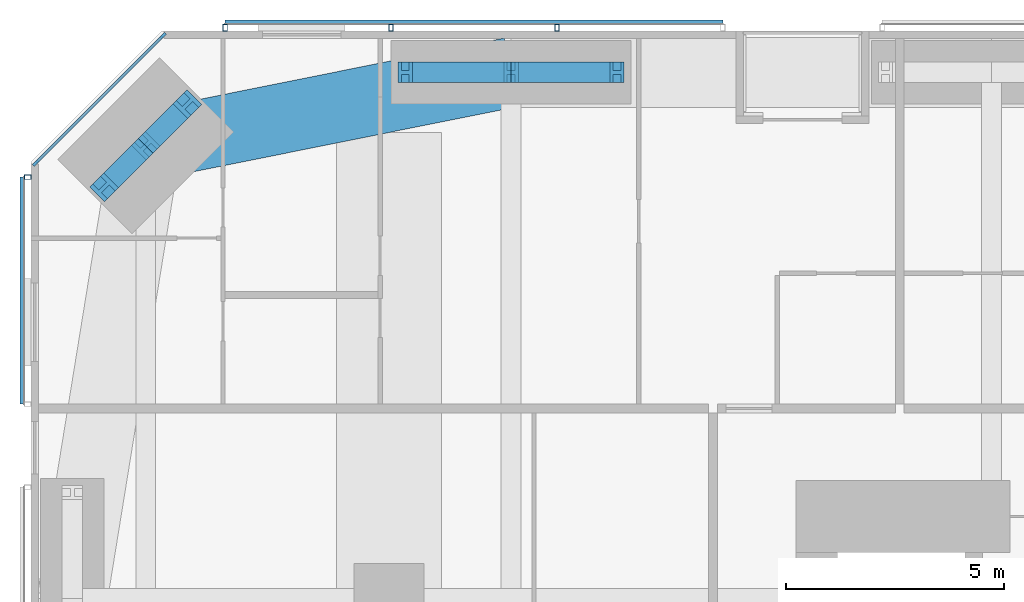
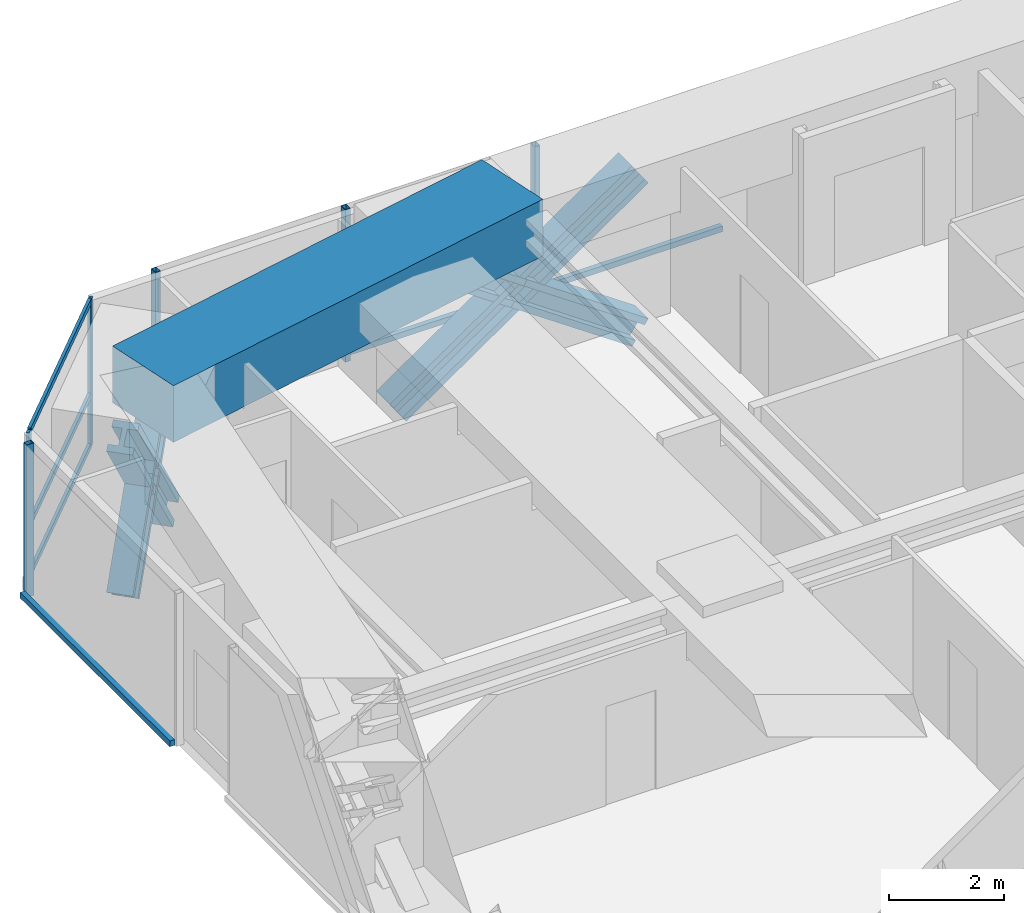
# One storey, part 12 of 24: 19 members, 1 beam, 3 elements without a shape of their own.
"""IFC4 building model written with IfcOpenShell, lengths in metres."""

from ifc_helpers import new_model, si_unit, direction, frame, origin, origin_2d, place, context, subcontext, project, spatial, rectangle, hollow_rectangle, i_section, extrude, material, material_profile, profile_set, type_object, element, aggregate, save


model = new_model("IFC4")

# Units and contexts
model_context = context("Model", 3, precision=1e-05, world=origin(), true_north=direction((0.0, 1.0)))
body_context = subcontext(model_context, "Body", "Model", "MODEL_VIEW")
ifc_project = project(units=[si_unit("LENGTHUNIT", "METRE"), si_unit("AREAUNIT", "SQUARE_METRE"), si_unit("VOLUMEUNIT", "CUBIC_METRE"), si_unit("PLANEANGLEUNIT", "RADIAN"), si_unit("MASSUNIT", "GRAM", prefix="KILO")], contexts=[model_context])

# Site, building, storey
site_placement = place(None, origin())
site = spatial("IfcSite", under=ifc_project, at=site_placement, CompositionType="ELEMENT")
building_placement = place(site_placement, origin())
building = spatial("IfcBuilding", under=site, at=building_placement, Name="Jalousie Tower", CompositionType="ELEMENT")
storey_placement = place(building_placement, frame((0.0, 0.0, 47.800048828125)))
storey = spatial("IfcBuildingStorey", under=building, at=storey_placement, Name="L12", CompositionType="ELEMENT", Elevation=47.800048828125)

# Curtain wall, members
ifc_material_1 = material(Name="Aluminium curtain wall", Category="aluminium")
curtain_wall_type_1 = type_object("IfcCurtainWallType", Name="CORNER WINDOW WALL", PredefinedType="USERDEFINED", material=ifc_material_1)
curtain_wall_1_placement = place(storey_placement, origin())
curtain_wall_1 = element("IfcCurtainWall", 1, at=curtain_wall_1_placement, inside=storey, type_object=curtain_wall_type_1, Name="Corner Window Wall L12 6", ObjectType="CORNER WINDOW WALL", PredefinedType="USERDEFINED")
ifc_material_2 = material(Name="Aluminium mullion", Category="aluminium")
ifc_material_profile_1 = material_profile(ifc_material_2, rectangle(XDim=0.06005859375, YDim=0.14990234375, at=origin_2d()), Name="MULLION 60x150")
ifc_profile_set_1 = profile_set([ifc_material_profile_1], Name="Aluminium mullion")
member_type_1 = type_object("IfcMemberType", Name="CORNER WINDOW WALL MULLION", PredefinedType="MULLION", material=ifc_profile_set_1)
member_1_placement = place(storey_placement, frame((5.030029296875, 37.891357421875, 0.0), z_axis=(0.0, 0.0, 1.0), x_axis=(0.707106781187, -0.707106781187, 0.0)))
member_1 = element("IfcMember", 2, at=member_1_placement, type_object=member_type_1, Name="CW-C mullion 1", PredefinedType="MULLION", context=body_context, shape_type="SweptSolid", body=[
    extrude(rectangle(XDim=0.06005859375, YDim=0.14990234375, at=origin_2d()), origin(), (0.0, 0.0, 1.0), 3.10986328125),
])
member_2_placement = place(storey_placement, frame((2.108642578125, 34.969970703125, 0.0), z_axis=(0.0, 0.0, 1.0), x_axis=(0.707106781187, -0.707106781187, 0.0)))
member_2 = element("IfcMember", 3, at=member_2_placement, type_object=member_type_1, Name="CW-C mullion 2", PredefinedType="MULLION", context=body_context, shape_type="SweptSolid", body=[
    extrude(rectangle(XDim=0.06005859375, YDim=0.14990234375, at=origin_2d()), origin(), (0.0, 0.0, 1.0), 3.10986328125),
])
ifc_material_3 = material(Name="Aluminium transom", Category="aluminium")
ifc_material_profile_2 = material_profile(ifc_material_3, rectangle(XDim=0.06005859375, YDim=0.1201171875, at=origin_2d()), Name="TRANSOM 60x120")
ifc_profile_set_2 = profile_set([ifc_material_profile_2], Name="Aluminium transom")
member_type_2 = type_object("IfcMemberType", Name="CORNER WINDOW WALL TRANSOM", PredefinedType="USERDEFINED", material=ifc_profile_set_2)
member_3_placement = place(storey_placement, frame((5.0087890625, 37.8701171875, 0.030029296875), z_axis=(-0.707106781187, -0.707106781187, 0.0), x_axis=(0.707106781187, -0.707106781187, 0.0)))
member_3 = element("IfcMember", 4, at=member_3_placement, type_object=member_type_2, Name="CW-C transom 1.1", ObjectType="TRANSOM", PredefinedType="USERDEFINED", context=body_context, shape_type="SweptSolid", body=[
    extrude(rectangle(XDim=0.06005859375, YDim=0.1201171875, at=origin_2d()), origin(), (0.0, 0.0, 1.0), 4.0712890625),
])
member_4_placement = place(storey_placement, frame((5.0087890625, 37.8701171875, 1.099853515625), z_axis=(-0.707106781187, -0.707106781187, 0.0), x_axis=(0.707106781187, -0.707106781187, 0.0)))
member_4 = element("IfcMember", 5, at=member_4_placement, type_object=member_type_2, Name="CW-C transom 1.2", ObjectType="TRANSOM", PredefinedType="USERDEFINED", context=body_context, shape_type="SweptSolid", body=[
    extrude(rectangle(XDim=0.06005859375, YDim=0.1201171875, at=origin_2d()), origin(), (0.0, 0.0, 1.0), 4.0712890625),
])
member_5_placement = place(storey_placement, frame((5.0087890625, 37.8701171875, 3.079833984375), z_axis=(-0.707106781187, -0.707106781187, 0.0), x_axis=(0.707106781187, -0.707106781187, 0.0)))
member_5 = element("IfcMember", 6, at=member_5_placement, type_object=member_type_2, Name="CW-C transom 1.3", ObjectType="TRANSOM", PredefinedType="USERDEFINED", context=body_context, shape_type="SweptSolid", body=[
    extrude(rectangle(XDim=0.06005859375, YDim=0.1201171875, at=origin_2d()), origin(), (0.0, 0.0, 1.0), 4.0712890625),
])
aggregate(curtain_wall_1, [member_1, member_2, member_3, member_4, member_5])

# Members
ifc_material_4 = material(Name="Steel ASTM A992 Grade 50", Category="steel")
ifc_material_profile_3 = material_profile(ifc_material_4, i_section(OverallWidth=0.472412109375, OverallDepth=0.5791015625, WebThickness=0.094970703125, FlangeThickness=0.1298828125, at=origin_2d()), Name="W14X808")
ifc_profile_set_3 = profile_set([ifc_material_profile_3], Name="Steel ASTM A992 Grade 50")
member_type_3 = type_object("IfcMemberType", Name="PERIMETER BRACE W14X808", PredefinedType="BRACE", material=ifc_profile_set_3)
for number, where, z_axis, x_axis, name in (
    (7, (10.574951171875, 37.050048828125, -0.60009765625), (0.822800062329, 0.0, 0.568330940062), (0.0, 1.0, 0.0), "Perimeter brace 11 L12 part 1"),
    (8, (13.0, 37.050048828125, 1.074951171875), (0.822800062329, 0.0, 0.568330940062), (0.0, 1.0, 0.0), "Perimeter brace 11 L12 part 2"),
    (9, (15.425048828125, 37.050048828125, -0.60009765625), (-0.822800062329, 0.0, 0.568330940062), (0.0, -1.0, 0.0), "Perimeter brace 11 L12 part 3"),
    (10, (13.0, 37.050048828125, 1.074951171875), (-0.822800062329, 0.0, 0.568330940062), (0.0, -1.0, 0.0), "Perimeter brace 11 L12 part 4"),
):
    element("IfcMember", number, at=place(storey_placement, frame(where, z_axis=z_axis, x_axis=x_axis)), inside=storey, type_object=member_type_3, Name=name, PredefinedType="BRACE", context=body_context, shape_type="SweptSolid", body=[
        extrude(i_section(OverallWidth=0.472412109375, OverallDepth=0.5791015625, WebThickness=0.094970703125, FlangeThickness=0.1298828125, at=origin_2d()), origin(), (0.0, 0.0, 1.0), 2.947265625),
    ])
for number, where, z_axis, x_axis, name in (
    (11, (5.5859375, 36.3232421875, -0.60009765625), (-0.443718327034, -0.443718327034, 0.778606506849), (0.707106781187, -0.707106781187, 0.0), "Perimeter brace 12 L12 part 1"),
    (12, (4.63134765625, 35.36865234375, 1.074951171875), (-0.443718327034, -0.443718327034, 0.778606506849), (0.707106781187, -0.707106781187, 0.0), "Perimeter brace 12 L12 part 2"),
    (13, (3.6767578125, 34.4140625, -0.60009765625), (0.443718327034, 0.443718327034, 0.778606506849), (-0.707106781187, 0.707106781187, 0.0), "Perimeter brace 12 L12 part 3"),
    (14, (4.63134765625, 35.36865234375, 1.074951171875), (0.443718327034, 0.443718327034, 0.778606506849), (-0.707106781187, 0.707106781187, 0.0), "Perimeter brace 12 L12 part 4"),
):
    element("IfcMember", number, at=place(storey_placement, frame(where, z_axis=z_axis, x_axis=x_axis)), inside=storey, type_object=member_type_3, Name=name, PredefinedType="BRACE", context=body_context, shape_type="SweptSolid", body=[
        extrude(i_section(OverallWidth=0.472412109375, OverallDepth=0.5791015625, WebThickness=0.094970703125, FlangeThickness=0.1298828125, at=origin_2d()), origin(), (0.0, 0.0, 1.0), 2.1513671875),
    ])

# Beam
ifc_material_5 = material(Name="Concrete f'c 40 MPa", Category="concrete")
ifc_material_profile_4 = material_profile(ifc_material_5, rectangle(XDim=1.60009765625, YDim=1.199951171875, at=origin_2d()), Name="RC 1600x1200")
ifc_profile_set_4 = profile_set([ifc_material_profile_4], Name="Concrete f'c 40 MPa")
beam_type = type_object("IfcBeamType", Name="RC BEAM 1600x1200", PredefinedType="BEAM", material=ifc_profile_set_4)
beam_placement = place(storey_placement, frame((13.0, 37.050048828125, 2.75), z_axis=(-0.980407585444, -0.196979609107, 0.0), x_axis=(0.196979609107, -0.980407585444, 0.0)))
element("IfcBeam", 15, at=beam_placement, inside=storey, type_object=beam_type, Name="Edge band beam 11-12 under L13", PredefinedType="BEAM", context=body_context, shape_type="SweptSolid", body=[
    extrude(rectangle(XDim=1.60009765625, YDim=1.199951171875, at=origin_2d()), origin(), (0.0, 0.0, 1.0), 8.535888671875),
])

# Curtain wall, members
ifc_material_6 = material(Name="Perforated aluminium sheet", Category="aluminium")
curtain_wall_type_2 = type_object("IfcCurtainWallType", Name="SOLAR SCREEN SS-1", PredefinedType="USERDEFINED", material=ifc_material_6)
curtain_wall_2_placement = place(storey_placement, origin())
curtain_wall_2 = element("IfcCurtainWall", 16, at=curtain_wall_2_placement, inside=storey, type_object=curtain_wall_type_2, Name="Solar screen L12", ObjectType="SOLAR SCREEN SS-1", PredefinedType="USERDEFINED")
ifc_material_7 = material(Name="Steel ASTM A500 Grade C", Category="steel")
ifc_material_profile_5 = material_profile(ifc_material_7, hollow_rectangle(XDim=0.1015625, YDim=0.15234375, WallThickness=0.00634765625, at=origin_2d()), Name="HSS6X4X1/4")
ifc_profile_set_5 = profile_set([ifc_material_profile_5], Name="Steel ASTM A500 Grade C")
member_type_4 = type_object("IfcMemberType", Name="SOLAR SCREEN SS-1 MULLION", PredefinedType="MULLION", material=ifc_profile_set_5)
member_6_placement = place(storey_placement, frame((14.050048828125, 38.0712890625, -0.1201171875), z_axis=(0.0, 0.0, 1.0), x_axis=(-1.0, 0.0, 0.0)))
member_6 = element("IfcMember", 17, at=member_6_placement, type_object=member_type_4, Name="SS1 post 2", PredefinedType="MULLION", context=body_context, shape_type="SweptSolid", body=[
    extrude(hollow_rectangle(XDim=0.1015625, YDim=0.15234375, WallThickness=0.00634765625, at=origin_2d()), origin(), (0.0, 0.0, 1.0), 3.22998046875),
])
member_7_placement = place(storey_placement, frame((10.25, 38.0712890625, -0.1201171875), z_axis=(0.0, 0.0, 1.0), x_axis=(-1.0, 0.0, 0.0)))
member_7 = element("IfcMember", 18, at=member_7_placement, type_object=member_type_4, Name="SS1 post 3", PredefinedType="MULLION", context=body_context, shape_type="SweptSolid", body=[
    extrude(hollow_rectangle(XDim=0.1015625, YDim=0.15234375, WallThickness=0.00634765625, at=origin_2d()), origin(), (0.0, 0.0, 1.0), 3.22998046875),
])
member_8_placement = place(storey_placement, frame((6.449951171875, 38.0712890625, -0.1201171875), z_axis=(0.0, 0.0, 1.0), x_axis=(-1.0, 0.0, 0.0)))
member_8 = element("IfcMember", 19, at=member_8_placement, type_object=member_type_4, Name="SS1 post 4", PredefinedType="MULLION", context=body_context, shape_type="SweptSolid", body=[
    extrude(hollow_rectangle(XDim=0.1015625, YDim=0.15234375, WallThickness=0.00634765625, at=origin_2d()), origin(), (0.0, 0.0, 1.0), 3.22998046875),
])

# Curtain wall, member
curtain_wall_3_placement = place(storey_placement, origin())
curtain_wall_3 = element("IfcCurtainWall", 20, at=curtain_wall_3_placement, inside=storey, type_object=curtain_wall_type_2, Name="Solar screen L12", ObjectType="SOLAR SCREEN SS-1", PredefinedType="USERDEFINED")
member_9_placement = place(storey_placement, frame((1.9287109375, 34.648681640625, -0.1201171875), z_axis=(0.0, 0.0, 1.0), x_axis=(0.0, -1.0, 0.0)))
member_9 = element("IfcMember", 21, at=member_9_placement, type_object=member_type_4, Name="SS1 post 1", PredefinedType="MULLION", context=body_context, shape_type="SweptSolid", body=[
    extrude(hollow_rectangle(XDim=0.1015625, YDim=0.15234375, WallThickness=0.00634765625, at=origin_2d()), origin(), (0.0, 0.0, 1.0), 3.22998046875),
])

# Member
ifc_material_8 = material(Name="Extruded aluminium screen rail", Category="aluminium")
ifc_material_profile_6 = material_profile(ifc_material_8, rectangle(XDim=0.1015625, YDim=0.1201171875, at=origin_2d()), Name="RAIL 102x120")
ifc_profile_set_6 = profile_set([ifc_material_profile_6], Name="Extruded aluminium screen rail")
member_type_5 = type_object("IfcMemberType", Name="SOLAR SCREEN SS-1 TRANSOM", PredefinedType="USERDEFINED", material=ifc_profile_set_6)
member_10_placement = place(storey_placement, frame((17.85009765625, 38.1982421875, -0.06005859375), z_axis=(-1.0, 0.0, 0.0), x_axis=(0.0, -1.0, 0.0)))
member_10 = element("IfcMember", 22, at=member_10_placement, type_object=member_type_5, Name="SS1 rail", ObjectType="TRANSOM", PredefinedType="USERDEFINED", context=body_context, shape_type="SweptSolid", body=[
    extrude(rectangle(XDim=0.1015625, YDim=0.1201171875, at=origin_2d()), origin(), (0.0, 0.0, 1.0), 11.400146484375),
])

aggregate(curtain_wall_2, [member_6, member_7, member_8, member_10])

member_11_placement = place(storey_placement, frame((1.8017578125, 34.648681640625, -0.06005859375), z_axis=(0.0, -1.0, 0.0), x_axis=(1.0, 0.0, 0.0)))
member_11 = element("IfcMember", 23, at=member_11_placement, type_object=member_type_5, Name="SS1 rail", ObjectType="TRANSOM", PredefinedType="USERDEFINED", context=body_context, shape_type="SweptSolid", body=[
    extrude(rectangle(XDim=0.1015625, YDim=0.1201171875, at=origin_2d()), origin(), (0.0, 0.0, 1.0), 5.19873046875),
])

aggregate(curtain_wall_3, [member_9, member_11])

save(model, "model.ifc")
